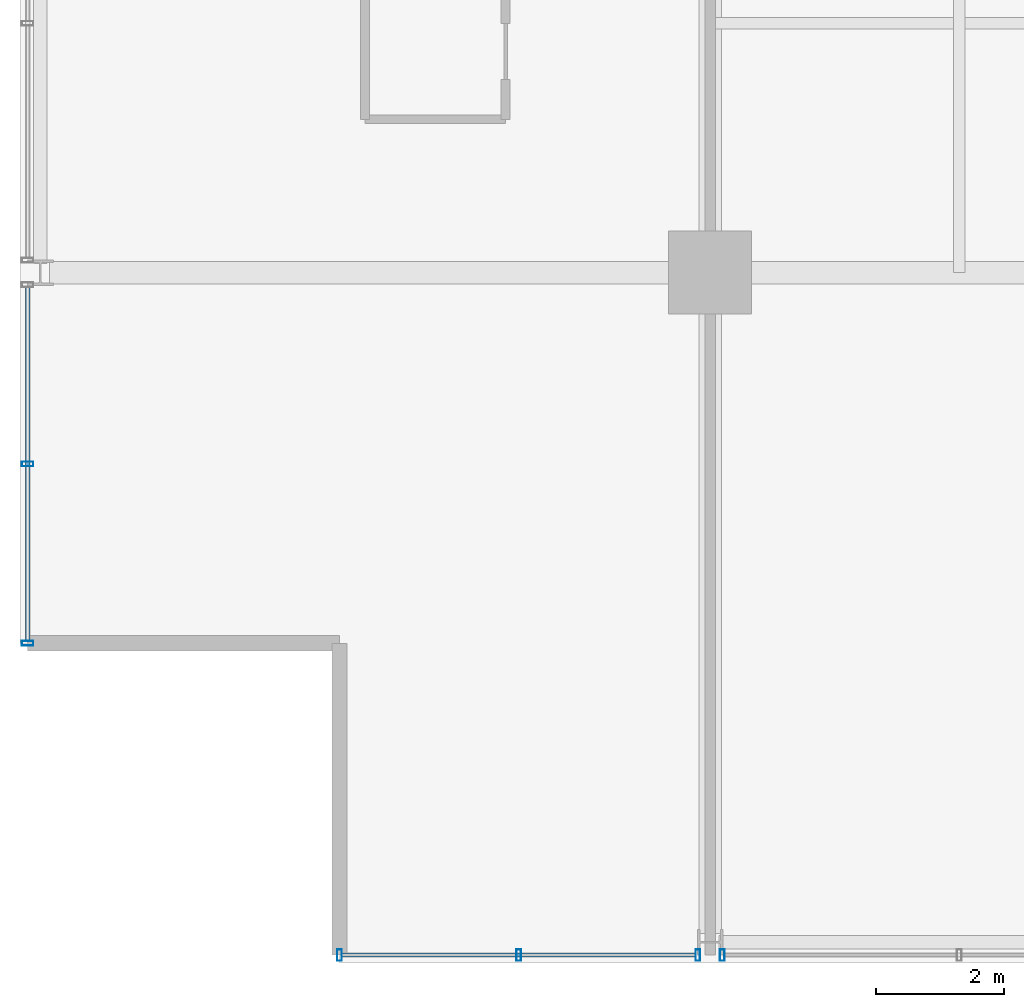
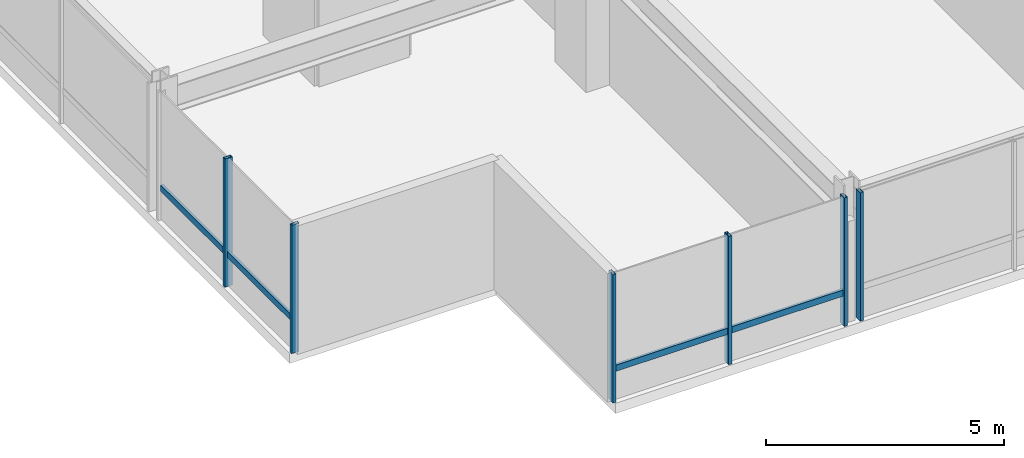
# One storey, part 2 of 33: 8 members, 3 elements without a shape of their own.
"""IFC4 building model written with IfcOpenShell, lengths in metres."""

from ifc_helpers import new_model, si_unit, direction, frame, origin, origin_2d, place, context, subcontext, project, spatial, hollow_rectangle, extrude, material, layer, layer_set, material_profile, profile_set, type_object, element, aggregate, save


model = new_model("IFC4")

# Units and contexts
model_context = context("Model", 3, precision=1e-05, world=origin(), true_north=direction((0.0, 1.0)))
body_context = subcontext(model_context, "Body", "Model", "MODEL_VIEW")
ifc_project = project(units=[si_unit("LENGTHUNIT", "METRE"), si_unit("AREAUNIT", "SQUARE_METRE"), si_unit("VOLUMEUNIT", "CUBIC_METRE"), si_unit("PLANEANGLEUNIT", "RADIAN"), si_unit("MASSUNIT", "GRAM", prefix="KILO")], contexts=[model_context])

# Site, building, storey
site_placement = place(None, origin())
site = spatial("IfcSite", under=ifc_project, at=site_placement, CompositionType="ELEMENT")
building_placement = place(site_placement, origin())
building = spatial("IfcBuilding", under=site, at=building_placement, Name="Drelvath Grand Hotel", CompositionType="ELEMENT")
storey_placement = place(building_placement, frame((0.0, 0.0, 178.800048828125)))
storey = spatial("IfcBuildingStorey", under=building, at=storey_placement, Name="L46", CompositionType="ELEMENT", Elevation=178.800048828125)

# Curtain wall, member
ifc_material = material(Name="Brushed Pale-Silver Anodised Aluminium Frame", Category="aluminium")
ifc_layer = layer(ifc_material, 0.199951171875)
ifc_layer_set = layer_set([ifc_layer], Name="Brushed Pale-Silver Anodised Aluminium Frame")
curtain_wall_type = type_object("IfcCurtainWallType", Name="Stick Curtain Wall CW-04 Brushed Silver Upper-Mid", PredefinedType="NOTDEFINED", material=ifc_layer_set)
curtain_wall_1_placement = place(storey_placement, origin())
curtain_wall_1 = element("IfcCurtainWall", 1, at=curtain_wall_1_placement, inside=storey, type_object=curtain_wall_type, Name="L46 CW-04 Curtain Wall CW04-L46-WS1", PredefinedType="NOTDEFINED")
ifc_material_profile_1 = material_profile(ifc_material, hollow_rectangle(XDim=0.06494140625, YDim=0.159912109375, WallThickness=0.00390625, at=origin_2d()), Name="HSS160X65X4")
ifc_profile_set_1 = profile_set([ifc_material_profile_1], Name="Brushed Pale-Silver Anodised Aluminium Frame")
member_type_1 = type_object("IfcMemberType", Name="Curtain Wall Horizontal Transom CW-04 HSS160X65X4", PredefinedType="USERDEFINED", material=ifc_profile_set_1)
member_1_placement = place(storey_placement, frame((-26.8798828125, 5.0400390625, 0.822509765625), z_axis=(0.0, 1.0, 0.0), x_axis=(-1.0, 0.0, 0.0)))
member_1 = element("IfcMember", 2, at=member_1_placement, type_object=member_type_1, Name="CW04-L46-WS1 Sill Transom", ObjectType="TRANSOM", PredefinedType="USERDEFINED", context=body_context, shape_type="SweptSolid", body=[
    extrude(hollow_rectangle(XDim=0.06494140625, YDim=0.159912109375, WallThickness=0.00390625, at=origin_2d()), origin(), (0.0, 0.0, 1.0), 5.5283203125),
])

curtain_wall_2_placement = place(storey_placement, origin())
curtain_wall_2 = element("IfcCurtainWall", 3, at=curtain_wall_2_placement, inside=storey, type_object=curtain_wall_type, Name="L46 CW-04 Curtain Wall CW04-L46-SW1", PredefinedType="NOTDEFINED")
member_2_placement = place(storey_placement, frame((-16.431640625, 0.1201171875, 0.822509765625), z_axis=(-1.0, 0.0, 0.0), x_axis=(0.0, -1.0, 0.0)))
member_2 = element("IfcMember", 4, at=member_2_placement, type_object=member_type_1, Name="CW04-L46-SW1 Sill Transom", ObjectType="TRANSOM", PredefinedType="USERDEFINED", context=body_context, shape_type="SweptSolid", body=[
    extrude(hollow_rectangle(XDim=0.06494140625, YDim=0.159912109375, WallThickness=0.00390625, at=origin_2d()), origin(), (0.0, 0.0, 1.0), 5.5283203125),
])

# Member
ifc_material_profile_2 = material_profile(ifc_material, hollow_rectangle(XDim=0.074951171875, YDim=0.179931640625, WallThickness=0.0048828125, at=origin_2d()), Name="HSS180X75X5")
ifc_profile_set_2 = profile_set([ifc_material_profile_2], Name="Brushed Pale-Silver Anodised Aluminium Frame")
member_type_2 = type_object("IfcMemberType", Name="Curtain Wall Vertical Mullion CW-04 HSS180X75X5", PredefinedType="MULLION", material=ifc_profile_set_2)
member_3_placement = place(storey_placement, frame((-26.8798828125, 5.0, 0.0), z_axis=(0.0, 0.0, 1.0), x_axis=(0.0, 1.0, 0.0)))
member_3 = element("IfcMember", 5, at=member_3_placement, type_object=member_type_2, Name="CW04-L46-WS1 Mullion 1", PredefinedType="MULLION", context=body_context, shape_type="SweptSolid", body=[
    extrude(hollow_rectangle(XDim=0.074951171875, YDim=0.179931640625, WallThickness=0.0048828125, at=origin_2d()), origin(), (0.0, 0.0, 1.0), 3.2900390625),
])

member_4_placement = place(storey_placement, frame((-26.8798828125, 7.80419921875, 0.0), z_axis=(0.0, 0.0, 1.0), x_axis=(0.0, 1.0, 0.0)))
member_4 = element("IfcMember", 6, at=member_4_placement, type_object=member_type_2, Name="CW04-L46-WS1 Mullion 2", PredefinedType="MULLION", context=body_context, shape_type="SweptSolid", body=[
    extrude(hollow_rectangle(XDim=0.074951171875, YDim=0.179931640625, WallThickness=0.0048828125, at=origin_2d()), origin(), (0.0, 0.0, 1.0), 3.2900390625),
])

aggregate(curtain_wall_1, [member_3, member_4, member_1])

member_5_placement = place(storey_placement, frame((-16.3916015625, 0.1201171875, 0.0), z_axis=(0.0, 0.0, 1.0), x_axis=(1.0, 0.0, 0.0)))
member_5 = element("IfcMember", 7, at=member_5_placement, type_object=member_type_2, Name="CW04-L46-SW1 Mullion 1", PredefinedType="MULLION", context=body_context, shape_type="SweptSolid", body=[
    extrude(hollow_rectangle(XDim=0.074951171875, YDim=0.179931640625, WallThickness=0.0048828125, at=origin_2d()), origin(), (0.0, 0.0, 1.0), 3.2900390625),
])

member_6_placement = place(storey_placement, frame((-19.19580078125, 0.1201171875, 0.0), z_axis=(0.0, 0.0, 1.0), x_axis=(1.0, 0.0, 0.0)))
member_6 = element("IfcMember", 8, at=member_6_placement, type_object=member_type_2, Name="CW04-L46-SW1 Mullion 2", PredefinedType="MULLION", context=body_context, shape_type="SweptSolid", body=[
    extrude(hollow_rectangle(XDim=0.074951171875, YDim=0.179931640625, WallThickness=0.0048828125, at=origin_2d()), origin(), (0.0, 0.0, 1.0), 3.2900390625),
])

member_7_placement = place(storey_placement, frame((-22.0, 0.1201171875, 0.0), z_axis=(0.0, 0.0, 1.0), x_axis=(1.0, 0.0, 0.0)))
member_7 = element("IfcMember", 9, at=member_7_placement, type_object=member_type_2, Name="CW04-L46-SW1 Mullion 3", PredefinedType="MULLION", context=body_context, shape_type="SweptSolid", body=[
    extrude(hollow_rectangle(XDim=0.074951171875, YDim=0.179931640625, WallThickness=0.0048828125, at=origin_2d()), origin(), (0.0, 0.0, 1.0), 3.2900390625),
])

aggregate(curtain_wall_2, [member_5, member_6, member_7, member_2])

# Curtain wall, member
curtain_wall_3_placement = place(storey_placement, origin())
curtain_wall_3 = element("IfcCurtainWall", 10, at=curtain_wall_3_placement, inside=storey, type_object=curtain_wall_type, Name="L46 CW-04 Curtain Wall CW04-L46-SW2", PredefinedType="NOTDEFINED")
member_8_placement = place(storey_placement, frame((-16.00830078125, 0.1201171875, 0.0), z_axis=(0.0, 0.0, 1.0), x_axis=(1.0, 0.0, 0.0)))
member_8 = element("IfcMember", 11, at=member_8_placement, type_object=member_type_2, Name="CW04-L46-SW2 Mullion 3", PredefinedType="MULLION", context=body_context, shape_type="SweptSolid", body=[
    extrude(hollow_rectangle(XDim=0.074951171875, YDim=0.179931640625, WallThickness=0.0048828125, at=origin_2d()), origin(), (0.0, 0.0, 1.0), 3.2900390625),
])
aggregate(curtain_wall_3, [member_8])

save(model, "model.ifc")
